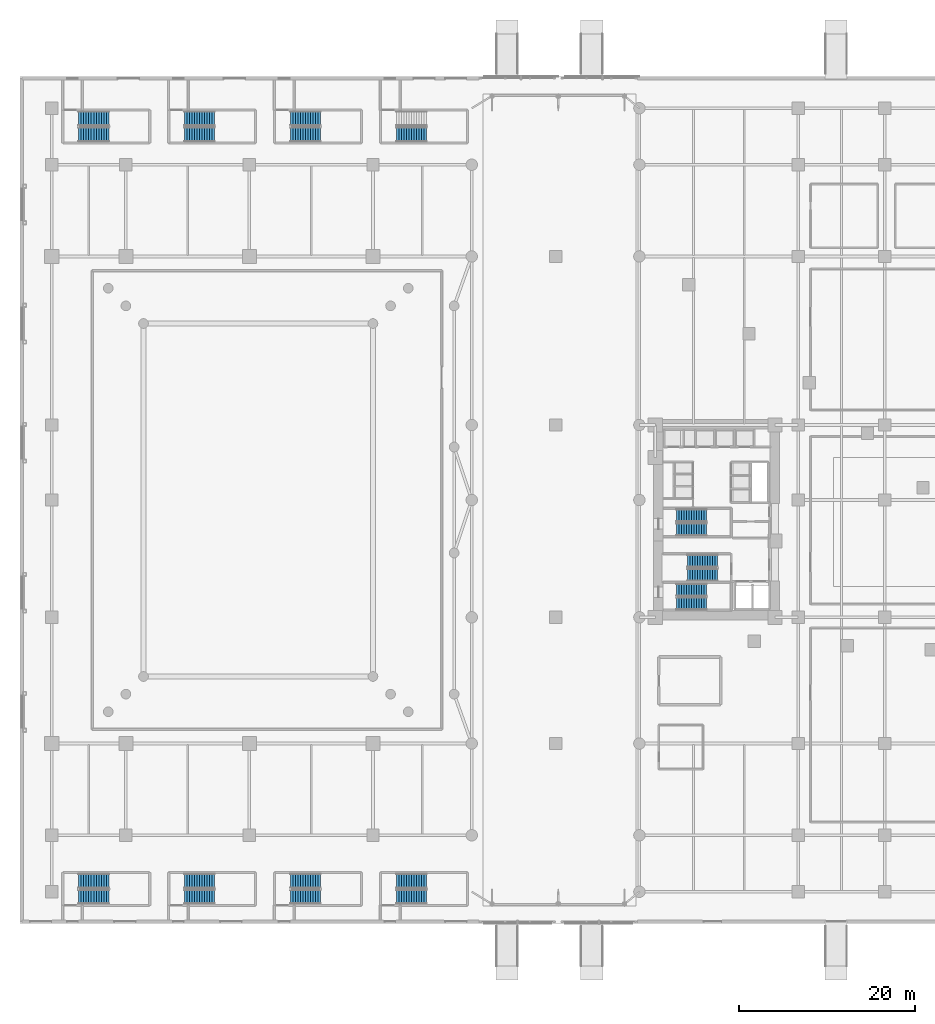
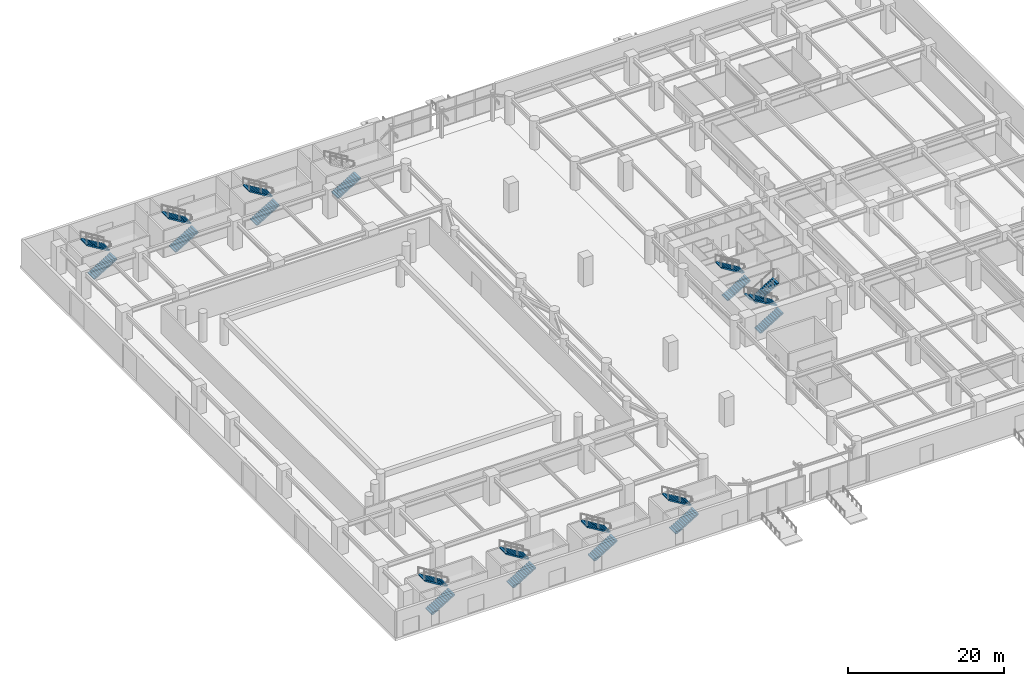
# One storey, part 27 of 42: 21 stair flights, 11 elements without a shape of their own.
"""IFC4 building model written with IfcOpenShell, lengths in metres."""

from ifc_helpers import new_model, si_unit, direction, frame, origin, place, context, subcontext, project, spatial, polyline, outline, extrude, material, type_object, element, aggregate, save


model = new_model("IFC4")

# Units and contexts
model_context = context("Model", 3, precision=1e-05, world=origin(), true_north=direction((0.0, 1.0)))
body_context = subcontext(model_context, "Body", "Model", "MODEL_VIEW")
ifc_project = project(units=[si_unit("LENGTHUNIT", "METRE"), si_unit("AREAUNIT", "SQUARE_METRE"), si_unit("VOLUMEUNIT", "CUBIC_METRE"), si_unit("PLANEANGLEUNIT", "RADIAN"), si_unit("MASSUNIT", "GRAM", prefix="KILO")], contexts=[model_context])

# Site, building, storey
site_placement = place(None, origin())
site = spatial("IfcSite", under=ifc_project, at=site_placement, CompositionType="ELEMENT")
building_placement = place(site_placement, origin())
building = spatial("IfcBuilding", under=site, at=building_placement, Name="Narakoshi Arena Tower", CompositionType="ELEMENT")
storey_placement = place(building_placement, origin())
storey = spatial("IfcBuildingStorey", under=building, at=storey_placement, Name="L00", CompositionType="ELEMENT", Elevation=0.0)

# Stair, stair flights
ifc_material_1 = material(Name="Concrete C45/55", Category="concrete")
stair_type_1 = type_object("IfcStairType", Name="STR-POD-450", PredefinedType="TWO_STRAIGHT_RUN_STAIR", material=ifc_material_1)
stair_1_placement = place(storey_placement, origin())
stair_1 = element("IfcStair", 1, at=stair_1_placement, inside=storey, type_object=stair_type_1, Name="L00 Core Escape Stair ST1", PredefinedType="TWO_STRAIGHT_RUN_STAIR")
ifc_material_2 = material(Name="Precast concrete C45/55", Category="concrete")
stair_flight_type_1 = type_object("IfcStairFlightType", Name="FLT-160-150", PredefinedType="STRAIGHT", material=ifc_material_2)
stair_flight_1_placement = place(storey_placement, frame((74.39990234375, 36.27490234375, 0.0), z_axis=(0.0, 0.0, 1.0), x_axis=(1.0, 0.0, 0.0)))
stair_flight_1 = element("IfcStairFlight", 2, at=stair_flight_1_placement, type_object=stair_flight_type_1, Name="ST1 flight 1", NumberOfRisers=13, NumberOfTreads=12, PredefinedType="STRAIGHT", RiserHeight=0.173076923, TreadLength=0.285, context=body_context, shape_type="SweptSolid", body=[
    extrude(outline(polyline([(0.0, 0.0), (0.0, 0.173095703125), (0.284912109375, 0.173095703125), (0.284912109375, 0.34619140625), (0.570068359375, 0.34619140625), (0.570068359375, 0.519287109375), (0.85498046875, 0.519287109375), (0.85498046875, 0.6923828125), (1.139892578125, 0.6923828125), (1.139892578125, 0.865478515625), (1.425048828125, 0.865478515625), (1.425048828125, 1.03857421875), (1.7099609375, 1.03857421875), (1.7099609375, 1.21142578125), (1.9951171875, 1.21142578125), (1.9951171875, 1.384521484375), (2.280029296875, 1.384521484375), (2.280029296875, 1.5576171875), (2.56494140625, 1.5576171875), (2.56494140625, 1.730712890625), (2.85009765625, 1.730712890625), (2.85009765625, 1.90380859375), (3.135009765625, 1.90380859375), (3.135009765625, 2.076904296875), (3.419921875, 2.076904296875), (3.419921875, 2.25), (3.419921875, 1.901611328125), (0.288818359375, 0.0), (0.0, 0.0)])), frame((0.0, 0.72509765625, 0.0), z_axis=(0.0, -1.0, 0.0), x_axis=(1.0, 0.0, 0.0)), (0.0, 0.0, 1.0), 1.449951171875),
])
stair_flight_2_placement = place(storey_placement, frame((77.820068359375, 37.824951171875, 2.25), z_axis=(0.0, 0.0, 1.0), x_axis=(-1.0, 0.0, 0.0)))
stair_flight_2 = element("IfcStairFlight", 3, at=stair_flight_2_placement, type_object=stair_flight_type_1, Name="ST1 flight 2", NumberOfRisers=13, NumberOfTreads=12, PredefinedType="STRAIGHT", RiserHeight=0.173076923, TreadLength=0.285, context=body_context, shape_type="SweptSolid", body=[
    extrude(outline(polyline([(0.0, 0.0), (0.0, 0.173095703125), (0.284912109375, 0.173095703125), (0.284912109375, 0.34619140625), (0.570068359375, 0.34619140625), (0.570068359375, 0.519287109375), (0.85498046875, 0.519287109375), (0.85498046875, 0.6923828125), (1.139892578125, 0.6923828125), (1.139892578125, 0.865478515625), (1.425048828125, 0.865478515625), (1.425048828125, 1.03857421875), (1.7099609375, 1.03857421875), (1.7099609375, 1.21142578125), (1.9951171875, 1.21142578125), (1.9951171875, 1.384521484375), (2.280029296875, 1.384521484375), (2.280029296875, 1.5576171875), (2.56494140625, 1.5576171875), (2.56494140625, 1.730712890625), (2.85009765625, 1.730712890625), (2.85009765625, 1.90380859375), (3.135009765625, 1.90380859375), (3.135009765625, 2.076904296875), (3.419921875, 2.076904296875), (3.419921875, 2.25), (3.419921875, 1.901611328125), (0.288818359375, 0.0), (0.0, 0.0)])), frame((0.0, 0.72509765625, 0.0), z_axis=(0.0, -1.0, 0.0), x_axis=(1.0, 0.0, 0.0)), (0.0, 0.0, 1.0), 1.449951171875),
])
aggregate(stair_1, [stair_flight_1, stair_flight_2])

stair_2_placement = place(storey_placement, origin())
stair_2 = element("IfcStair", 4, at=stair_2_placement, inside=storey, type_object=stair_type_1, Name="L00 Core Escape Stair ST2", PredefinedType="TWO_STRAIGHT_RUN_STAIR")
stair_flight_3_placement = place(storey_placement, frame((79.050048828125, 41.074951171875, 0.0), z_axis=(0.0, 0.0, 1.0), x_axis=(-1.0, 0.0, 0.0)))
stair_flight_3 = element("IfcStairFlight", 5, at=stair_flight_3_placement, type_object=stair_flight_type_1, Name="ST2 flight 1", NumberOfRisers=13, NumberOfTreads=12, PredefinedType="STRAIGHT", RiserHeight=0.173076923, TreadLength=0.285, context=body_context, shape_type="SweptSolid", body=[
    extrude(outline(polyline([(0.0, 0.0), (0.0, 0.173095703125), (0.284912109375, 0.173095703125), (0.284912109375, 0.34619140625), (0.570068359375, 0.34619140625), (0.570068359375, 0.519287109375), (0.85498046875, 0.519287109375), (0.85498046875, 0.6923828125), (1.139892578125, 0.6923828125), (1.139892578125, 0.865478515625), (1.425048828125, 0.865478515625), (1.425048828125, 1.03857421875), (1.7099609375, 1.03857421875), (1.7099609375, 1.21142578125), (1.9951171875, 1.21142578125), (1.9951171875, 1.384521484375), (2.280029296875, 1.384521484375), (2.280029296875, 1.5576171875), (2.56494140625, 1.5576171875), (2.56494140625, 1.730712890625), (2.85009765625, 1.730712890625), (2.85009765625, 1.90380859375), (3.135009765625, 1.90380859375), (3.135009765625, 2.076904296875), (3.419921875, 2.076904296875), (3.419921875, 2.25), (3.419921875, 1.901611328125), (0.288818359375, 0.0), (0.0, 0.0)])), frame((0.0, 0.72509765625, 0.0), z_axis=(0.0, -1.0, 0.0), x_axis=(1.0, 0.0, 0.0)), (0.0, 0.0, 1.0), 1.449951171875),
])
stair_flight_4_placement = place(storey_placement, frame((75.6298828125, 39.52490234375, 2.25), z_axis=(0.0, 0.0, 1.0), x_axis=(1.0, 0.0, 0.0)))
stair_flight_4 = element("IfcStairFlight", 6, at=stair_flight_4_placement, type_object=stair_flight_type_1, Name="ST2 flight 2", NumberOfRisers=13, NumberOfTreads=12, PredefinedType="STRAIGHT", RiserHeight=0.173076923, TreadLength=0.285, context=body_context, shape_type="SweptSolid", body=[
    extrude(outline(polyline([(0.0, 0.0), (0.0, 0.173095703125), (0.284912109375, 0.173095703125), (0.284912109375, 0.34619140625), (0.570068359375, 0.34619140625), (0.570068359375, 0.519287109375), (0.85498046875, 0.519287109375), (0.85498046875, 0.6923828125), (1.139892578125, 0.6923828125), (1.139892578125, 0.865478515625), (1.425048828125, 0.865478515625), (1.425048828125, 1.03857421875), (1.7099609375, 1.03857421875), (1.7099609375, 1.21142578125), (1.9951171875, 1.21142578125), (1.9951171875, 1.384521484375), (2.280029296875, 1.384521484375), (2.280029296875, 1.5576171875), (2.56494140625, 1.5576171875), (2.56494140625, 1.730712890625), (2.85009765625, 1.730712890625), (2.85009765625, 1.90380859375), (3.135009765625, 1.90380859375), (3.135009765625, 2.076904296875), (3.419921875, 2.076904296875), (3.419921875, 2.25), (3.419921875, 1.901611328125), (0.288818359375, 0.0), (0.0, 0.0)])), frame((0.0, 0.72509765625, 0.0), z_axis=(0.0, -1.0, 0.0), x_axis=(1.0, 0.0, 0.0)), (0.0, 0.0, 1.0), 1.449951171875),
])
aggregate(stair_2, [stair_flight_3, stair_flight_4])

stair_3_placement = place(storey_placement, origin())
stair_3 = element("IfcStair", 7, at=stair_3_placement, inside=storey, type_object=stair_type_1, Name="L00 Core Escape Stair ST3", PredefinedType="TWO_STRAIGHT_RUN_STAIR")
stair_flight_5_placement = place(storey_placement, frame((74.39990234375, 44.675048828125, 0.0), z_axis=(0.0, 0.0, 1.0), x_axis=(1.0, 0.0, 0.0)))
stair_flight_5 = element("IfcStairFlight", 8, at=stair_flight_5_placement, type_object=stair_flight_type_1, Name="ST3 flight 1", NumberOfRisers=13, NumberOfTreads=12, PredefinedType="STRAIGHT", RiserHeight=0.173076923, TreadLength=0.285, context=body_context, shape_type="SweptSolid", body=[
    extrude(outline(polyline([(0.0, 0.0), (0.0, 0.173095703125), (0.284912109375, 0.173095703125), (0.284912109375, 0.34619140625), (0.570068359375, 0.34619140625), (0.570068359375, 0.519287109375), (0.85498046875, 0.519287109375), (0.85498046875, 0.6923828125), (1.139892578125, 0.6923828125), (1.139892578125, 0.865478515625), (1.425048828125, 0.865478515625), (1.425048828125, 1.03857421875), (1.7099609375, 1.03857421875), (1.7099609375, 1.21142578125), (1.9951171875, 1.21142578125), (1.9951171875, 1.384521484375), (2.280029296875, 1.384521484375), (2.280029296875, 1.5576171875), (2.56494140625, 1.5576171875), (2.56494140625, 1.730712890625), (2.85009765625, 1.730712890625), (2.85009765625, 1.90380859375), (3.135009765625, 1.90380859375), (3.135009765625, 2.076904296875), (3.419921875, 2.076904296875), (3.419921875, 2.25), (3.419921875, 1.901611328125), (0.288818359375, 0.0), (0.0, 0.0)])), frame((0.0, 0.72509765625, 0.0), z_axis=(0.0, -1.0, 0.0), x_axis=(1.0, 0.0, 0.0)), (0.0, 0.0, 1.0), 1.449951171875),
])
stair_flight_6_placement = place(storey_placement, frame((77.820068359375, 46.22509765625, 2.25), z_axis=(0.0, 0.0, 1.0), x_axis=(-1.0, 0.0, 0.0)))
stair_flight_6 = element("IfcStairFlight", 9, at=stair_flight_6_placement, type_object=stair_flight_type_1, Name="ST3 flight 2", NumberOfRisers=13, NumberOfTreads=12, PredefinedType="STRAIGHT", RiserHeight=0.173076923, TreadLength=0.285, context=body_context, shape_type="SweptSolid", body=[
    extrude(outline(polyline([(0.0, 0.0), (0.0, 0.173095703125), (0.284912109375, 0.173095703125), (0.284912109375, 0.34619140625), (0.570068359375, 0.34619140625), (0.570068359375, 0.519287109375), (0.85498046875, 0.519287109375), (0.85498046875, 0.6923828125), (1.139892578125, 0.6923828125), (1.139892578125, 0.865478515625), (1.425048828125, 0.865478515625), (1.425048828125, 1.03857421875), (1.7099609375, 1.03857421875), (1.7099609375, 1.21142578125), (1.9951171875, 1.21142578125), (1.9951171875, 1.384521484375), (2.280029296875, 1.384521484375), (2.280029296875, 1.5576171875), (2.56494140625, 1.5576171875), (2.56494140625, 1.730712890625), (2.85009765625, 1.730712890625), (2.85009765625, 1.90380859375), (3.135009765625, 1.90380859375), (3.135009765625, 2.076904296875), (3.419921875, 2.076904296875), (3.419921875, 2.25), (3.419921875, 1.901611328125), (0.288818359375, 0.0), (0.0, 0.0)])), frame((0.0, 0.72509765625, 0.0), z_axis=(0.0, -1.0, 0.0), x_axis=(1.0, 0.0, 0.0)), (0.0, 0.0, 1.0), 1.449951171875),
])
aggregate(stair_3, [stair_flight_5, stair_flight_6])

stair_type_2 = type_object("IfcStairType", Name="STR-ARN-2400", PredefinedType="TWO_STRAIGHT_RUN_STAIR", material=ifc_material_1)
stair_4_placement = place(storey_placement, origin())
stair_4 = element("IfcStair", 10, at=stair_4_placement, inside=storey, type_object=stair_type_2, Name="L00 Arena Crowd Escape Stair AST1", PredefinedType="TWO_STRAIGHT_RUN_STAIR")
stair_flight_type_2 = type_object("IfcStairFlightType", Name="FLT-240-150", PredefinedType="STRAIGHT", material=ifc_material_2)
stair_flight_7_placement = place(storey_placement, frame((6.64990234375, 3.02490234375, 0.0), z_axis=(0.0, 0.0, 1.0), x_axis=(1.0, 0.0, 0.0)))
stair_flight_7 = element("IfcStairFlight", 11, at=stair_flight_7_placement, type_object=stair_flight_type_2, Name="AST1 flight 1", NumberOfRisers=13, NumberOfTreads=12, PredefinedType="STRAIGHT", RiserHeight=0.173076923, TreadLength=0.285, context=body_context, shape_type="SweptSolid", body=[
    extrude(outline(polyline([(0.0, 0.0), (0.0, 0.173095703125), (0.284912109375, 0.173095703125), (0.284912109375, 0.34619140625), (0.570068359375, 0.34619140625), (0.570068359375, 0.519287109375), (0.85498046875, 0.519287109375), (0.85498046875, 0.6923828125), (1.139892578125, 0.6923828125), (1.139892578125, 0.865478515625), (1.425048828125, 0.865478515625), (1.425048828125, 1.03857421875), (1.7099609375, 1.03857421875), (1.7099609375, 1.21142578125), (1.9951171875, 1.21142578125), (1.9951171875, 1.384521484375), (2.280029296875, 1.384521484375), (2.280029296875, 1.5576171875), (2.56494140625, 1.5576171875), (2.56494140625, 1.730712890625), (2.85009765625, 1.730712890625), (2.85009765625, 1.90380859375), (3.135009765625, 1.90380859375), (3.135009765625, 2.076904296875), (3.419921875, 2.076904296875), (3.419921875, 2.25), (3.419921875, 1.901611328125), (0.288818359375, 0.0), (0.0, 0.0)])), frame((0.0, 0.824951171875, 0.0), z_axis=(0.0, -1.0, 0.0), x_axis=(1.0, 0.0, 0.0)), (0.0, 0.0, 1.0), 1.64990234375),
])
stair_flight_8_placement = place(storey_placement, frame((10.070068359375, 4.824951171875, 2.25), z_axis=(0.0, 0.0, 1.0), x_axis=(-1.0, 0.0, 0.0)))
stair_flight_8 = element("IfcStairFlight", 12, at=stair_flight_8_placement, type_object=stair_flight_type_2, Name="AST1 flight 2", NumberOfRisers=13, NumberOfTreads=12, PredefinedType="STRAIGHT", RiserHeight=0.173076923, TreadLength=0.285, context=body_context, shape_type="SweptSolid", body=[
    extrude(outline(polyline([(0.0, 0.0), (0.0, 0.173095703125), (0.284912109375, 0.173095703125), (0.284912109375, 0.34619140625), (0.570068359375, 0.34619140625), (0.570068359375, 0.519287109375), (0.85498046875, 0.519287109375), (0.85498046875, 0.6923828125), (1.139892578125, 0.6923828125), (1.139892578125, 0.865478515625), (1.425048828125, 0.865478515625), (1.425048828125, 1.03857421875), (1.7099609375, 1.03857421875), (1.7099609375, 1.21142578125), (1.9951171875, 1.21142578125), (1.9951171875, 1.384521484375), (2.280029296875, 1.384521484375), (2.280029296875, 1.5576171875), (2.56494140625, 1.5576171875), (2.56494140625, 1.730712890625), (2.85009765625, 1.730712890625), (2.85009765625, 1.90380859375), (3.135009765625, 1.90380859375), (3.135009765625, 2.076904296875), (3.419921875, 2.076904296875), (3.419921875, 2.25), (3.419921875, 1.901611328125), (0.288818359375, 0.0), (0.0, 0.0)])), frame((0.0, 0.824951171875, 0.0), z_axis=(0.0, -1.0, 0.0), x_axis=(1.0, 0.0, 0.0)), (0.0, 0.0, 1.0), 1.64990234375),
])
aggregate(stair_4, [stair_flight_7, stair_flight_8])

stair_5_placement = place(storey_placement, origin())
stair_5 = element("IfcStair", 13, at=stair_5_placement, inside=storey, type_object=stair_type_2, Name="L00 Arena Crowd Escape Stair AST2", PredefinedType="TWO_STRAIGHT_RUN_STAIR")
stair_flight_9_placement = place(storey_placement, frame((18.64990234375, 3.02490234375, 0.0), z_axis=(0.0, 0.0, 1.0), x_axis=(1.0, 0.0, 0.0)))
stair_flight_9 = element("IfcStairFlight", 14, at=stair_flight_9_placement, type_object=stair_flight_type_2, Name="AST2 flight 1", NumberOfRisers=13, NumberOfTreads=12, PredefinedType="STRAIGHT", RiserHeight=0.173076923, TreadLength=0.285, context=body_context, shape_type="SweptSolid", body=[
    extrude(outline(polyline([(0.0, 0.0), (0.0, 0.173095703125), (0.284912109375, 0.173095703125), (0.284912109375, 0.34619140625), (0.570068359375, 0.34619140625), (0.570068359375, 0.519287109375), (0.85498046875, 0.519287109375), (0.85498046875, 0.6923828125), (1.139892578125, 0.6923828125), (1.139892578125, 0.865478515625), (1.425048828125, 0.865478515625), (1.425048828125, 1.03857421875), (1.7099609375, 1.03857421875), (1.7099609375, 1.21142578125), (1.9951171875, 1.21142578125), (1.9951171875, 1.384521484375), (2.280029296875, 1.384521484375), (2.280029296875, 1.5576171875), (2.56494140625, 1.5576171875), (2.56494140625, 1.730712890625), (2.85009765625, 1.730712890625), (2.85009765625, 1.90380859375), (3.135009765625, 1.90380859375), (3.135009765625, 2.076904296875), (3.419921875, 2.076904296875), (3.419921875, 2.25), (3.419921875, 1.901611328125), (0.288818359375, 0.0), (0.0, 0.0)])), frame((0.0, 0.824951171875, 0.0), z_axis=(0.0, -1.0, 0.0), x_axis=(1.0, 0.0, 0.0)), (0.0, 0.0, 1.0), 1.64990234375),
])
stair_flight_10_placement = place(storey_placement, frame((22.070068359375, 4.824951171875, 2.25), z_axis=(0.0, 0.0, 1.0), x_axis=(-1.0, 0.0, 0.0)))
stair_flight_10 = element("IfcStairFlight", 15, at=stair_flight_10_placement, type_object=stair_flight_type_2, Name="AST2 flight 2", NumberOfRisers=13, NumberOfTreads=12, PredefinedType="STRAIGHT", RiserHeight=0.173076923, TreadLength=0.285, context=body_context, shape_type="SweptSolid", body=[
    extrude(outline(polyline([(0.0, 0.0), (0.0, 0.173095703125), (0.284912109375, 0.173095703125), (0.284912109375, 0.34619140625), (0.570068359375, 0.34619140625), (0.570068359375, 0.519287109375), (0.85498046875, 0.519287109375), (0.85498046875, 0.6923828125), (1.139892578125, 0.6923828125), (1.139892578125, 0.865478515625), (1.425048828125, 0.865478515625), (1.425048828125, 1.03857421875), (1.7099609375, 1.03857421875), (1.7099609375, 1.21142578125), (1.9951171875, 1.21142578125), (1.9951171875, 1.384521484375), (2.280029296875, 1.384521484375), (2.280029296875, 1.5576171875), (2.56494140625, 1.5576171875), (2.56494140625, 1.730712890625), (2.85009765625, 1.730712890625), (2.85009765625, 1.90380859375), (3.135009765625, 1.90380859375), (3.135009765625, 2.076904296875), (3.419921875, 2.076904296875), (3.419921875, 2.25), (3.419921875, 1.901611328125), (0.288818359375, 0.0), (0.0, 0.0)])), frame((0.0, 0.824951171875, 0.0), z_axis=(0.0, -1.0, 0.0), x_axis=(1.0, 0.0, 0.0)), (0.0, 0.0, 1.0), 1.64990234375),
])
aggregate(stair_5, [stair_flight_9, stair_flight_10])

stair_6_placement = place(storey_placement, origin())
stair_6 = element("IfcStair", 16, at=stair_6_placement, inside=storey, type_object=stair_type_2, Name="L00 Arena Crowd Escape Stair AST3", PredefinedType="TWO_STRAIGHT_RUN_STAIR")
stair_flight_11_placement = place(storey_placement, frame((30.64990234375, 3.02490234375, 0.0), z_axis=(0.0, 0.0, 1.0), x_axis=(1.0, 0.0, 0.0)))
stair_flight_11 = element("IfcStairFlight", 17, at=stair_flight_11_placement, type_object=stair_flight_type_2, Name="AST3 flight 1", NumberOfRisers=13, NumberOfTreads=12, PredefinedType="STRAIGHT", RiserHeight=0.173076923, TreadLength=0.285, context=body_context, shape_type="SweptSolid", body=[
    extrude(outline(polyline([(0.0, 0.0), (0.0, 0.173095703125), (0.284912109375, 0.173095703125), (0.284912109375, 0.34619140625), (0.570068359375, 0.34619140625), (0.570068359375, 0.519287109375), (0.85498046875, 0.519287109375), (0.85498046875, 0.6923828125), (1.139892578125, 0.6923828125), (1.139892578125, 0.865478515625), (1.425048828125, 0.865478515625), (1.425048828125, 1.03857421875), (1.7099609375, 1.03857421875), (1.7099609375, 1.21142578125), (1.9951171875, 1.21142578125), (1.9951171875, 1.384521484375), (2.280029296875, 1.384521484375), (2.280029296875, 1.5576171875), (2.56494140625, 1.5576171875), (2.56494140625, 1.730712890625), (2.85009765625, 1.730712890625), (2.85009765625, 1.90380859375), (3.135009765625, 1.90380859375), (3.135009765625, 2.076904296875), (3.419921875, 2.076904296875), (3.419921875, 2.25), (3.419921875, 1.901611328125), (0.288818359375, 0.0), (0.0, 0.0)])), frame((0.0, 0.824951171875, 0.0), z_axis=(0.0, -1.0, 0.0), x_axis=(1.0, 0.0, 0.0)), (0.0, 0.0, 1.0), 1.64990234375),
])
stair_flight_12_placement = place(storey_placement, frame((34.070068359375, 4.824951171875, 2.25), z_axis=(0.0, 0.0, 1.0), x_axis=(-1.0, 0.0, 0.0)))
stair_flight_12 = element("IfcStairFlight", 18, at=stair_flight_12_placement, type_object=stair_flight_type_2, Name="AST3 flight 2", NumberOfRisers=13, NumberOfTreads=12, PredefinedType="STRAIGHT", RiserHeight=0.173076923, TreadLength=0.285, context=body_context, shape_type="SweptSolid", body=[
    extrude(outline(polyline([(0.0, 0.0), (0.0, 0.173095703125), (0.284912109375, 0.173095703125), (0.284912109375, 0.34619140625), (0.570068359375, 0.34619140625), (0.570068359375, 0.519287109375), (0.85498046875, 0.519287109375), (0.85498046875, 0.6923828125), (1.139892578125, 0.6923828125), (1.139892578125, 0.865478515625), (1.425048828125, 0.865478515625), (1.425048828125, 1.03857421875), (1.7099609375, 1.03857421875), (1.7099609375, 1.21142578125), (1.9951171875, 1.21142578125), (1.9951171875, 1.384521484375), (2.280029296875, 1.384521484375), (2.280029296875, 1.5576171875), (2.56494140625, 1.5576171875), (2.56494140625, 1.730712890625), (2.85009765625, 1.730712890625), (2.85009765625, 1.90380859375), (3.135009765625, 1.90380859375), (3.135009765625, 2.076904296875), (3.419921875, 2.076904296875), (3.419921875, 2.25), (3.419921875, 1.901611328125), (0.288818359375, 0.0), (0.0, 0.0)])), frame((0.0, 0.824951171875, 0.0), z_axis=(0.0, -1.0, 0.0), x_axis=(1.0, 0.0, 0.0)), (0.0, 0.0, 1.0), 1.64990234375),
])
aggregate(stair_6, [stair_flight_11, stair_flight_12])

stair_7_placement = place(storey_placement, origin())
stair_7 = element("IfcStair", 19, at=stair_7_placement, inside=storey, type_object=stair_type_2, Name="L00 Arena Crowd Escape Stair AST4", PredefinedType="TWO_STRAIGHT_RUN_STAIR")
stair_flight_13_placement = place(storey_placement, frame((42.64990234375, 3.02490234375, 0.0), z_axis=(0.0, 0.0, 1.0), x_axis=(1.0, 0.0, 0.0)))
stair_flight_13 = element("IfcStairFlight", 20, at=stair_flight_13_placement, type_object=stair_flight_type_2, Name="AST4 flight 1", NumberOfRisers=13, NumberOfTreads=12, PredefinedType="STRAIGHT", RiserHeight=0.173076923, TreadLength=0.285, context=body_context, shape_type="SweptSolid", body=[
    extrude(outline(polyline([(0.0, 0.0), (0.0, 0.173095703125), (0.284912109375, 0.173095703125), (0.284912109375, 0.34619140625), (0.570068359375, 0.34619140625), (0.570068359375, 0.519287109375), (0.85498046875, 0.519287109375), (0.85498046875, 0.6923828125), (1.139892578125, 0.6923828125), (1.139892578125, 0.865478515625), (1.425048828125, 0.865478515625), (1.425048828125, 1.03857421875), (1.7099609375, 1.03857421875), (1.7099609375, 1.21142578125), (1.9951171875, 1.21142578125), (1.9951171875, 1.384521484375), (2.280029296875, 1.384521484375), (2.280029296875, 1.5576171875), (2.56494140625, 1.5576171875), (2.56494140625, 1.730712890625), (2.85009765625, 1.730712890625), (2.85009765625, 1.90380859375), (3.135009765625, 1.90380859375), (3.135009765625, 2.076904296875), (3.419921875, 2.076904296875), (3.419921875, 2.25), (3.419921875, 1.901611328125), (0.288818359375, 0.0), (0.0, 0.0)])), frame((0.0, 0.824951171875, 0.0), z_axis=(0.0, -1.0, 0.0), x_axis=(1.0, 0.0, 0.0)), (0.0, 0.0, 1.0), 1.64990234375),
])
stair_flight_14_placement = place(storey_placement, frame((46.070068359375, 4.824951171875, 2.25), z_axis=(0.0, 0.0, 1.0), x_axis=(-1.0, 0.0, 0.0)))
stair_flight_14 = element("IfcStairFlight", 21, at=stair_flight_14_placement, type_object=stair_flight_type_2, Name="AST4 flight 2", NumberOfRisers=13, NumberOfTreads=12, PredefinedType="STRAIGHT", RiserHeight=0.173076923, TreadLength=0.285, context=body_context, shape_type="SweptSolid", body=[
    extrude(outline(polyline([(0.0, 0.0), (0.0, 0.173095703125), (0.284912109375, 0.173095703125), (0.284912109375, 0.34619140625), (0.570068359375, 0.34619140625), (0.570068359375, 0.519287109375), (0.85498046875, 0.519287109375), (0.85498046875, 0.6923828125), (1.139892578125, 0.6923828125), (1.139892578125, 0.865478515625), (1.425048828125, 0.865478515625), (1.425048828125, 1.03857421875), (1.7099609375, 1.03857421875), (1.7099609375, 1.21142578125), (1.9951171875, 1.21142578125), (1.9951171875, 1.384521484375), (2.280029296875, 1.384521484375), (2.280029296875, 1.5576171875), (2.56494140625, 1.5576171875), (2.56494140625, 1.730712890625), (2.85009765625, 1.730712890625), (2.85009765625, 1.90380859375), (3.135009765625, 1.90380859375), (3.135009765625, 2.076904296875), (3.419921875, 2.076904296875), (3.419921875, 2.25), (3.419921875, 1.901611328125), (0.288818359375, 0.0), (0.0, 0.0)])), frame((0.0, 0.824951171875, 0.0), z_axis=(0.0, -1.0, 0.0), x_axis=(1.0, 0.0, 0.0)), (0.0, 0.0, 1.0), 1.64990234375),
])
aggregate(stair_7, [stair_flight_13, stair_flight_14])

stair_8_placement = place(storey_placement, origin())
stair_8 = element("IfcStair", 22, at=stair_8_placement, inside=storey, type_object=stair_type_2, Name="L00 Arena Crowd Escape Stair AST5", PredefinedType="TWO_STRAIGHT_RUN_STAIR")
stair_flight_15_placement = place(storey_placement, frame((6.64990234375, 89.425048828125, 0.0), z_axis=(0.0, 0.0, 1.0), x_axis=(1.0, 0.0, 0.0)))
stair_flight_15 = element("IfcStairFlight", 23, at=stair_flight_15_placement, type_object=stair_flight_type_2, Name="AST5 flight 1", NumberOfRisers=13, NumberOfTreads=12, PredefinedType="STRAIGHT", RiserHeight=0.173076923, TreadLength=0.285, context=body_context, shape_type="SweptSolid", body=[
    extrude(outline(polyline([(0.0, 0.0), (0.0, 0.173095703125), (0.284912109375, 0.173095703125), (0.284912109375, 0.34619140625), (0.570068359375, 0.34619140625), (0.570068359375, 0.519287109375), (0.85498046875, 0.519287109375), (0.85498046875, 0.6923828125), (1.139892578125, 0.6923828125), (1.139892578125, 0.865478515625), (1.425048828125, 0.865478515625), (1.425048828125, 1.03857421875), (1.7099609375, 1.03857421875), (1.7099609375, 1.21142578125), (1.9951171875, 1.21142578125), (1.9951171875, 1.384521484375), (2.280029296875, 1.384521484375), (2.280029296875, 1.5576171875), (2.56494140625, 1.5576171875), (2.56494140625, 1.730712890625), (2.85009765625, 1.730712890625), (2.85009765625, 1.90380859375), (3.135009765625, 1.90380859375), (3.135009765625, 2.076904296875), (3.419921875, 2.076904296875), (3.419921875, 2.25), (3.419921875, 1.901611328125), (0.288818359375, 0.0), (0.0, 0.0)])), frame((0.0, 0.824951171875, 0.0), z_axis=(0.0, -1.0, 0.0), x_axis=(1.0, 0.0, 0.0)), (0.0, 0.0, 1.0), 1.64990234375),
])
stair_flight_16_placement = place(storey_placement, frame((10.070068359375, 91.22509765625, 2.25), z_axis=(0.0, 0.0, 1.0), x_axis=(-1.0, 0.0, 0.0)))
stair_flight_16 = element("IfcStairFlight", 24, at=stair_flight_16_placement, type_object=stair_flight_type_2, Name="AST5 flight 2", NumberOfRisers=13, NumberOfTreads=12, PredefinedType="STRAIGHT", RiserHeight=0.173076923, TreadLength=0.285, context=body_context, shape_type="SweptSolid", body=[
    extrude(outline(polyline([(0.0, 0.0), (0.0, 0.173095703125), (0.284912109375, 0.173095703125), (0.284912109375, 0.34619140625), (0.570068359375, 0.34619140625), (0.570068359375, 0.519287109375), (0.85498046875, 0.519287109375), (0.85498046875, 0.6923828125), (1.139892578125, 0.6923828125), (1.139892578125, 0.865478515625), (1.425048828125, 0.865478515625), (1.425048828125, 1.03857421875), (1.7099609375, 1.03857421875), (1.7099609375, 1.21142578125), (1.9951171875, 1.21142578125), (1.9951171875, 1.384521484375), (2.280029296875, 1.384521484375), (2.280029296875, 1.5576171875), (2.56494140625, 1.5576171875), (2.56494140625, 1.730712890625), (2.85009765625, 1.730712890625), (2.85009765625, 1.90380859375), (3.135009765625, 1.90380859375), (3.135009765625, 2.076904296875), (3.419921875, 2.076904296875), (3.419921875, 2.25), (3.419921875, 1.901611328125), (0.288818359375, 0.0), (0.0, 0.0)])), frame((0.0, 0.824951171875, 0.0), z_axis=(0.0, -1.0, 0.0), x_axis=(1.0, 0.0, 0.0)), (0.0, 0.0, 1.0), 1.64990234375),
])
aggregate(stair_8, [stair_flight_15, stair_flight_16])

stair_9_placement = place(storey_placement, origin())
stair_9 = element("IfcStair", 25, at=stair_9_placement, inside=storey, type_object=stair_type_2, Name="L00 Arena Crowd Escape Stair AST6", PredefinedType="TWO_STRAIGHT_RUN_STAIR")
stair_flight_17_placement = place(storey_placement, frame((18.64990234375, 89.425048828125, 0.0), z_axis=(0.0, 0.0, 1.0), x_axis=(1.0, 0.0, 0.0)))
stair_flight_17 = element("IfcStairFlight", 26, at=stair_flight_17_placement, type_object=stair_flight_type_2, Name="AST6 flight 1", NumberOfRisers=13, NumberOfTreads=12, PredefinedType="STRAIGHT", RiserHeight=0.173076923, TreadLength=0.285, context=body_context, shape_type="SweptSolid", body=[
    extrude(outline(polyline([(0.0, 0.0), (0.0, 0.173095703125), (0.284912109375, 0.173095703125), (0.284912109375, 0.34619140625), (0.570068359375, 0.34619140625), (0.570068359375, 0.519287109375), (0.85498046875, 0.519287109375), (0.85498046875, 0.6923828125), (1.139892578125, 0.6923828125), (1.139892578125, 0.865478515625), (1.425048828125, 0.865478515625), (1.425048828125, 1.03857421875), (1.7099609375, 1.03857421875), (1.7099609375, 1.21142578125), (1.9951171875, 1.21142578125), (1.9951171875, 1.384521484375), (2.280029296875, 1.384521484375), (2.280029296875, 1.5576171875), (2.56494140625, 1.5576171875), (2.56494140625, 1.730712890625), (2.85009765625, 1.730712890625), (2.85009765625, 1.90380859375), (3.135009765625, 1.90380859375), (3.135009765625, 2.076904296875), (3.419921875, 2.076904296875), (3.419921875, 2.25), (3.419921875, 1.901611328125), (0.288818359375, 0.0), (0.0, 0.0)])), frame((0.0, 0.824951171875, 0.0), z_axis=(0.0, -1.0, 0.0), x_axis=(1.0, 0.0, 0.0)), (0.0, 0.0, 1.0), 1.64990234375),
])
stair_flight_18_placement = place(storey_placement, frame((22.070068359375, 91.22509765625, 2.25), z_axis=(0.0, 0.0, 1.0), x_axis=(-1.0, 0.0, 0.0)))
stair_flight_18 = element("IfcStairFlight", 27, at=stair_flight_18_placement, type_object=stair_flight_type_2, Name="AST6 flight 2", NumberOfRisers=13, NumberOfTreads=12, PredefinedType="STRAIGHT", RiserHeight=0.173076923, TreadLength=0.285, context=body_context, shape_type="SweptSolid", body=[
    extrude(outline(polyline([(0.0, 0.0), (0.0, 0.173095703125), (0.284912109375, 0.173095703125), (0.284912109375, 0.34619140625), (0.570068359375, 0.34619140625), (0.570068359375, 0.519287109375), (0.85498046875, 0.519287109375), (0.85498046875, 0.6923828125), (1.139892578125, 0.6923828125), (1.139892578125, 0.865478515625), (1.425048828125, 0.865478515625), (1.425048828125, 1.03857421875), (1.7099609375, 1.03857421875), (1.7099609375, 1.21142578125), (1.9951171875, 1.21142578125), (1.9951171875, 1.384521484375), (2.280029296875, 1.384521484375), (2.280029296875, 1.5576171875), (2.56494140625, 1.5576171875), (2.56494140625, 1.730712890625), (2.85009765625, 1.730712890625), (2.85009765625, 1.90380859375), (3.135009765625, 1.90380859375), (3.135009765625, 2.076904296875), (3.419921875, 2.076904296875), (3.419921875, 2.25), (3.419921875, 1.901611328125), (0.288818359375, 0.0), (0.0, 0.0)])), frame((0.0, 0.824951171875, 0.0), z_axis=(0.0, -1.0, 0.0), x_axis=(1.0, 0.0, 0.0)), (0.0, 0.0, 1.0), 1.64990234375),
])
aggregate(stair_9, [stair_flight_17, stair_flight_18])

stair_10_placement = place(storey_placement, origin())
stair_10 = element("IfcStair", 28, at=stair_10_placement, inside=storey, type_object=stair_type_2, Name="L00 Arena Crowd Escape Stair AST7", PredefinedType="TWO_STRAIGHT_RUN_STAIR")
stair_flight_19_placement = place(storey_placement, frame((30.64990234375, 89.425048828125, 0.0), z_axis=(0.0, 0.0, 1.0), x_axis=(1.0, 0.0, 0.0)))
stair_flight_19 = element("IfcStairFlight", 29, at=stair_flight_19_placement, type_object=stair_flight_type_2, Name="AST7 flight 1", NumberOfRisers=13, NumberOfTreads=12, PredefinedType="STRAIGHT", RiserHeight=0.173076923, TreadLength=0.285, context=body_context, shape_type="SweptSolid", body=[
    extrude(outline(polyline([(0.0, 0.0), (0.0, 0.173095703125), (0.284912109375, 0.173095703125), (0.284912109375, 0.34619140625), (0.570068359375, 0.34619140625), (0.570068359375, 0.519287109375), (0.85498046875, 0.519287109375), (0.85498046875, 0.6923828125), (1.139892578125, 0.6923828125), (1.139892578125, 0.865478515625), (1.425048828125, 0.865478515625), (1.425048828125, 1.03857421875), (1.7099609375, 1.03857421875), (1.7099609375, 1.21142578125), (1.9951171875, 1.21142578125), (1.9951171875, 1.384521484375), (2.280029296875, 1.384521484375), (2.280029296875, 1.5576171875), (2.56494140625, 1.5576171875), (2.56494140625, 1.730712890625), (2.85009765625, 1.730712890625), (2.85009765625, 1.90380859375), (3.135009765625, 1.90380859375), (3.135009765625, 2.076904296875), (3.419921875, 2.076904296875), (3.419921875, 2.25), (3.419921875, 1.901611328125), (0.288818359375, 0.0), (0.0, 0.0)])), frame((0.0, 0.824951171875, 0.0), z_axis=(0.0, -1.0, 0.0), x_axis=(1.0, 0.0, 0.0)), (0.0, 0.0, 1.0), 1.64990234375),
])
stair_flight_20_placement = place(storey_placement, frame((34.070068359375, 91.22509765625, 2.25), z_axis=(0.0, 0.0, 1.0), x_axis=(-1.0, 0.0, 0.0)))
stair_flight_20 = element("IfcStairFlight", 30, at=stair_flight_20_placement, type_object=stair_flight_type_2, Name="AST7 flight 2", NumberOfRisers=13, NumberOfTreads=12, PredefinedType="STRAIGHT", RiserHeight=0.173076923, TreadLength=0.285, context=body_context, shape_type="SweptSolid", body=[
    extrude(outline(polyline([(0.0, 0.0), (0.0, 0.173095703125), (0.284912109375, 0.173095703125), (0.284912109375, 0.34619140625), (0.570068359375, 0.34619140625), (0.570068359375, 0.519287109375), (0.85498046875, 0.519287109375), (0.85498046875, 0.6923828125), (1.139892578125, 0.6923828125), (1.139892578125, 0.865478515625), (1.425048828125, 0.865478515625), (1.425048828125, 1.03857421875), (1.7099609375, 1.03857421875), (1.7099609375, 1.21142578125), (1.9951171875, 1.21142578125), (1.9951171875, 1.384521484375), (2.280029296875, 1.384521484375), (2.280029296875, 1.5576171875), (2.56494140625, 1.5576171875), (2.56494140625, 1.730712890625), (2.85009765625, 1.730712890625), (2.85009765625, 1.90380859375), (3.135009765625, 1.90380859375), (3.135009765625, 2.076904296875), (3.419921875, 2.076904296875), (3.419921875, 2.25), (3.419921875, 1.901611328125), (0.288818359375, 0.0), (0.0, 0.0)])), frame((0.0, 0.824951171875, 0.0), z_axis=(0.0, -1.0, 0.0), x_axis=(1.0, 0.0, 0.0)), (0.0, 0.0, 1.0), 1.64990234375),
])
aggregate(stair_10, [stair_flight_19, stair_flight_20])

# Stair, stair flight
stair_11_placement = place(storey_placement, origin())
stair_11 = element("IfcStair", 31, at=stair_11_placement, inside=storey, type_object=stair_type_2, Name="L00 Arena Crowd Escape Stair AST8", PredefinedType="TWO_STRAIGHT_RUN_STAIR")
stair_flight_21_placement = place(storey_placement, frame((42.64990234375, 89.425048828125, 0.0), z_axis=(0.0, 0.0, 1.0), x_axis=(1.0, 0.0, 0.0)))
stair_flight_21 = element("IfcStairFlight", 32, at=stair_flight_21_placement, type_object=stair_flight_type_2, Name="AST8 flight 1", NumberOfRisers=13, NumberOfTreads=12, PredefinedType="STRAIGHT", RiserHeight=0.173076923, TreadLength=0.285, context=body_context, shape_type="SweptSolid", body=[
    extrude(outline(polyline([(0.0, 0.0), (0.0, 0.173095703125), (0.284912109375, 0.173095703125), (0.284912109375, 0.34619140625), (0.570068359375, 0.34619140625), (0.570068359375, 0.519287109375), (0.85498046875, 0.519287109375), (0.85498046875, 0.6923828125), (1.139892578125, 0.6923828125), (1.139892578125, 0.865478515625), (1.425048828125, 0.865478515625), (1.425048828125, 1.03857421875), (1.7099609375, 1.03857421875), (1.7099609375, 1.21142578125), (1.9951171875, 1.21142578125), (1.9951171875, 1.384521484375), (2.280029296875, 1.384521484375), (2.280029296875, 1.5576171875), (2.56494140625, 1.5576171875), (2.56494140625, 1.730712890625), (2.85009765625, 1.730712890625), (2.85009765625, 1.90380859375), (3.135009765625, 1.90380859375), (3.135009765625, 2.076904296875), (3.419921875, 2.076904296875), (3.419921875, 2.25), (3.419921875, 1.901611328125), (0.288818359375, 0.0), (0.0, 0.0)])), frame((0.0, 0.824951171875, 0.0), z_axis=(0.0, -1.0, 0.0), x_axis=(1.0, 0.0, 0.0)), (0.0, 0.0, 1.0), 1.64990234375),
])
aggregate(stair_11, [stair_flight_21])

save(model, "model.ifc")
